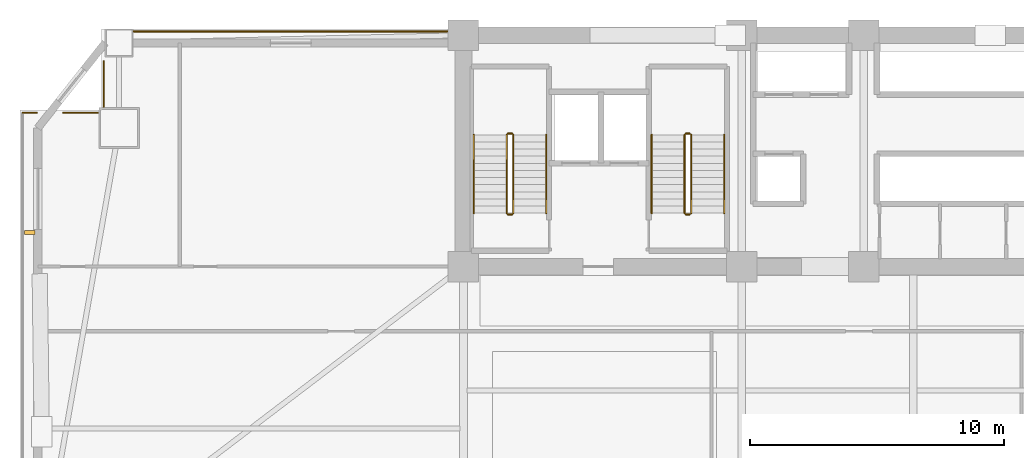
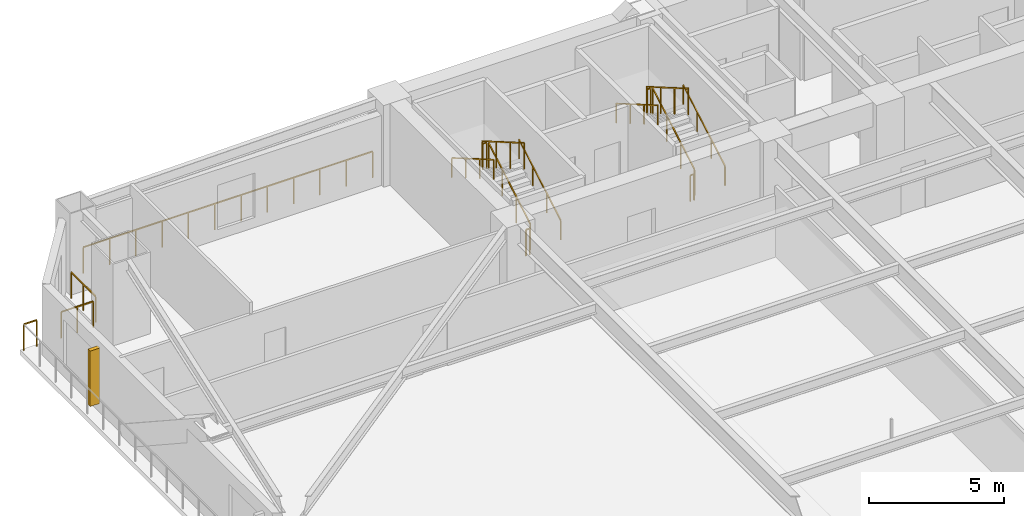
# One storey, part 15 of 17: 16 railings, 1 shading device.
"""IFC4 building model written with IfcOpenShell, lengths in metres."""

from ifc_helpers import new_model, si_unit, direction, frame, origin, origin_2d, place, context, subcontext, project, spatial, rectangle, extrude, source, transform, mapped, material, type_object, element, save


model = new_model("IFC4")

# Units and contexts
model_context = context("Model", 3, precision=1e-05, world=origin(), true_north=direction((0.0, 1.0)))
body_context = subcontext(model_context, "Body", "Model", "MODEL_VIEW")
ifc_project = project(units=[si_unit("LENGTHUNIT", "METRE"), si_unit("AREAUNIT", "SQUARE_METRE"), si_unit("VOLUMEUNIT", "CUBIC_METRE"), si_unit("PLANEANGLEUNIT", "RADIAN"), si_unit("MASSUNIT", "GRAM", prefix="KILO")], contexts=[model_context])

# Site, building, storey
site_placement = place(None, origin())
site = spatial("IfcSite", under=ifc_project, at=site_placement, CompositionType="ELEMENT")
building_placement = place(site_placement, origin())
building = spatial("IfcBuilding", under=site, at=building_placement, Name="Giltprow Tower", CompositionType="ELEMENT")
storey_placement = place(building_placement, frame((0.0, 0.0, 29.300048828125)))
storey = spatial("IfcBuildingStorey", under=building, at=storey_placement, Name="L07", CompositionType="ELEMENT", Elevation=29.300048828125)

# Railings
ifc_material = material(Name="Anodized bronze", Category="metal")
railing_type_1 = type_object("IfcRailingType", Name="RAIL-BALC-GUARD-1200", PredefinedType="BALUSTRADE", material=ifc_material)
railing_1_placement = place(storey_placement, frame((2.5, 43.5, 0.0)))
element("IfcRailing", 1, at=railing_1_placement, inside=storey, type_object=railing_type_1, Name="L07 Corner Apron Edge Balustrade 6", PredefinedType="BALUSTRADE", context=body_context, shape_type="SweptSolid", body=[
    extrude(rectangle(XDim=0.048095703125, YDim=0.048095703125, at=origin_2d()), frame((0.0, 0.0, 1.17578125), z_axis=(1.0, 0.0, 0.0), x_axis=(0.0, 1.0, 0.0)), (0.0, 0.0, 1.0), 0.552001953125),
    extrude(rectangle(XDim=0.0419921875, YDim=0.0419921875, at=origin_2d()), origin(), (0.0, 0.0, 1.0), 1.15185546875),
    extrude(rectangle(XDim=0.0419921875, YDim=0.0419921875, at=origin_2d()), frame((0.552001953125, 0.0, 0.0)), (0.0, 0.0, 1.0), 1.15185546875),
])
railing_2_placement = place(storey_placement, frame((4.096923828125, 43.5, 0.0)))
element("IfcRailing", 2, at=railing_2_placement, inside=storey, type_object=railing_type_1, Name="L07 Corner Apron Edge Balustrade 7", PredefinedType="BALUSTRADE", context=body_context, shape_type="SweptSolid", body=[
    extrude(rectangle(XDim=0.048095703125, YDim=0.048095703125, at=origin_2d()), frame((0.0, 0.0, 1.17578125), z_axis=(1.0, 0.0, 0.0), x_axis=(0.0, 1.0, 0.0)), (0.0, 0.0, 1.0), 1.3681640625),
    extrude(rectangle(XDim=0.0419921875, YDim=0.0419921875, at=origin_2d()), origin(), (0.0, 0.0, 1.0), 1.15185546875),
    extrude(rectangle(XDim=0.0419921875, YDim=0.0419921875, at=origin_2d()), frame((0.68408203125, 0.0, 0.0)), (0.0, 0.0, 1.0), 1.15185546875),
    extrude(rectangle(XDim=0.0419921875, YDim=0.0419921875, at=origin_2d()), frame((1.3681640625, 0.0, 0.0)), (0.0, 0.0, 1.0), 1.15185546875),
])
railing_3_placement = place(storey_placement, frame((5.699951171875, 43.735107421875, 0.0)))
element("IfcRailing", 3, at=railing_3_placement, inside=storey, type_object=railing_type_1, Name="L07 Corner Apron Edge Balustrade 8", PredefinedType="BALUSTRADE", context=body_context, shape_type="SweptSolid", body=[
    extrude(rectangle(XDim=0.048095703125, YDim=0.048095703125, at=origin_2d()), frame((0.0, 0.0, 1.17578125), z_axis=(0.0, 1.0, 0.0), x_axis=(-1.0, 0.0, 0.0)), (0.0, 0.0, 1.0), 1.790771484375),
    extrude(rectangle(XDim=0.0419921875, YDim=0.0419921875, at=origin_2d()), origin(), (0.0, 0.0, 1.0), 1.15185546875),
    extrude(rectangle(XDim=0.0419921875, YDim=0.0419921875, at=origin_2d()), frame((0.0, 0.8955078125, 0.0)), (0.0, 0.0, 1.0), 1.15185546875),
    extrude(rectangle(XDim=0.0419921875, YDim=0.0419921875, at=origin_2d()), frame((0.0, 1.790771484375, 0.0)), (0.0, 0.0, 1.0), 1.15185546875),
])
railing_4_placement = place(storey_placement, frame((6.885009765625, 46.699951171875, 0.0)))
element("IfcRailing", 4, at=railing_4_placement, inside=storey, type_object=railing_type_1, Name="L07 Corner Apron Edge Balustrade 9", PredefinedType="BALUSTRADE", context=body_context, shape_type="SweptSolid", body=[
    extrude(rectangle(XDim=0.048095703125, YDim=0.048095703125, at=origin_2d()), frame((0.0, 0.0, 1.17578125), z_axis=(1.0, 0.0, 0.0), x_axis=(0.0, 1.0, 0.0)), (0.0, 0.0, 1.0), 12.330078125),
    extrude(rectangle(XDim=0.0419921875, YDim=0.0419921875, at=origin_2d()), origin(), (0.0, 0.0, 1.0), 1.15185546875),
    extrude(rectangle(XDim=0.0419921875, YDim=0.0419921875, at=origin_2d()), frame((1.120849609375, 0.0, 0.0)), (0.0, 0.0, 1.0), 1.15185546875),
    extrude(rectangle(XDim=0.0419921875, YDim=0.0419921875, at=origin_2d()), frame((2.241943359375, 0.0, 0.0)), (0.0, 0.0, 1.0), 1.15185546875),
    extrude(rectangle(XDim=0.0419921875, YDim=0.0419921875, at=origin_2d()), frame((3.36279296875, 0.0, 0.0)), (0.0, 0.0, 1.0), 1.15185546875),
    extrude(rectangle(XDim=0.0419921875, YDim=0.0419921875, at=origin_2d()), frame((4.483642578125, 0.0, 0.0)), (0.0, 0.0, 1.0), 1.15185546875),
    extrude(rectangle(XDim=0.0419921875, YDim=0.0419921875, at=origin_2d()), frame((5.6044921875, 0.0, 0.0)), (0.0, 0.0, 1.0), 1.15185546875),
    extrude(rectangle(XDim=0.0419921875, YDim=0.0419921875, at=origin_2d()), frame((6.7255859375, 0.0, 0.0)), (0.0, 0.0, 1.0), 1.15185546875),
    extrude(rectangle(XDim=0.0419921875, YDim=0.0419921875, at=origin_2d()), frame((7.846435546875, 0.0, 0.0)), (0.0, 0.0, 1.0), 1.15185546875),
    extrude(rectangle(XDim=0.0419921875, YDim=0.0419921875, at=origin_2d()), frame((8.96728515625, 0.0, 0.0)), (0.0, 0.0, 1.0), 1.15185546875),
    extrude(rectangle(XDim=0.0419921875, YDim=0.0419921875, at=origin_2d()), frame((10.088134765625, 0.0, 0.0)), (0.0, 0.0, 1.0), 1.15185546875),
    extrude(rectangle(XDim=0.0419921875, YDim=0.0419921875, at=origin_2d()), frame((11.209228515625, 0.0, 0.0)), (0.0, 0.0, 1.0), 1.15185546875),
    extrude(rectangle(XDim=0.0419921875, YDim=0.0419921875, at=origin_2d()), frame((12.330078125, 0.0, 0.0)), (0.0, 0.0, 1.0), 1.15185546875),
])
railing_type_2 = type_object("IfcRailingType", Name="RAIL-STAIR-GUARD-1200", PredefinedType="GUARDRAIL", material=ifc_material)
railing_5_placement = place(storey_placement, frame((21.81005859375, 39.550048828125, 0.162353515625)))
element("IfcRailing", 5, at=railing_5_placement, inside=storey, type_object=railing_type_2, Name="L07 ST-1 stair guard 1", PredefinedType="GUARDRAIL", context=body_context, shape_type="SweptSolid", body=[
    extrude(rectangle(XDim=0.048095703125, YDim=0.048095703125, at=origin_2d()), frame((0.0, 0.0, 1.17578125), z_axis=(0.0, 0.864873446163, 0.501989962173), x_axis=(-1.0, 0.0, 0.0)), (0.0, 0.0, 1.0), 3.56103515625),
    extrude(rectangle(XDim=0.0419921875, YDim=0.0419921875, at=origin_2d()), origin(), (0.0, 0.0, 1.0), 1.15185546875),
    extrude(rectangle(XDim=0.0419921875, YDim=0.0419921875, at=origin_2d()), frame((0.0, 1.026611328125, 0.595947265625)), (0.0, 0.0, 1.0), 1.15185546875),
    extrude(rectangle(XDim=0.0419921875, YDim=0.0419921875, at=origin_2d()), frame((0.0, 2.05322265625, 1.191650390625)), (0.0, 0.0, 1.0), 1.15185546875),
    extrude(rectangle(XDim=0.0419921875, YDim=0.0419921875, at=origin_2d()), frame((0.0, 3.079833984375, 1.78759765625)), (0.0, 0.0, 1.0), 1.15185546875),
])
railing_6_placement = place(storey_placement, frame((21.760009765625, 42.679931640625, 1.949951171875)))
element("IfcRailing", 6, at=railing_6_placement, inside=storey, type_object=railing_type_2, Name="L07 ST-1 stair guard 2", PredefinedType="GUARDRAIL", context=body_context, shape_type="SweptSolid", body=[
    extrude(rectangle(XDim=0.048095703125, YDim=0.048095703125, at=origin_2d()), frame((0.0, 0.0, 1.17578125), z_axis=(-1.0, 0.0, 0.0), x_axis=(0.0, -1.0, 0.0)), (0.0, 0.0, 1.0), 0.159912109375),
    extrude(rectangle(XDim=0.0419921875, YDim=0.0419921875, at=origin_2d()), origin(), (0.0, 0.0, 1.0), 1.15185546875),
    extrude(rectangle(XDim=0.0419921875, YDim=0.0419921875, at=origin_2d()), frame((-0.159912109375, 0.0, 0.0)), (0.0, 0.0, 1.0), 1.15185546875),
])
railing_7_placement = place(storey_placement, frame((21.550048828125, 42.6298828125, 2.112548828125)))
element("IfcRailing", 7, at=railing_7_placement, inside=storey, type_object=railing_type_2, Name="L07 ST-1 stair guard 3", PredefinedType="GUARDRAIL", context=body_context, shape_type="SweptSolid", body=[
    extrude(rectangle(XDim=0.048095703125, YDim=0.048095703125, at=origin_2d()), frame((0.0, 0.0, 1.17578125), z_axis=(0.0, -0.864903211148, 0.501938676878), x_axis=(1.0, 0.0, 0.0)), (0.0, 0.0, 1.0), 3.560791015625),
    extrude(rectangle(XDim=0.0419921875, YDim=0.0419921875, at=origin_2d()), origin(), (0.0, 0.0, 1.0), 1.15185546875),
    extrude(rectangle(XDim=0.0419921875, YDim=0.0419921875, at=origin_2d()), frame((0.0, -1.026611328125, 0.595703125)), (0.0, 0.0, 1.0), 1.15185546875),
    extrude(rectangle(XDim=0.0419921875, YDim=0.0419921875, at=origin_2d()), frame((0.0, -2.05322265625, 1.191650390625)), (0.0, 0.0, 1.0), 1.15185546875),
    extrude(rectangle(XDim=0.0419921875, YDim=0.0419921875, at=origin_2d()), frame((0.0, -3.079833984375, 1.787353515625)), (0.0, 0.0, 1.0), 1.15185546875),
])
railing_8_placement = place(storey_placement, frame((21.760009765625, 39.5, 0.0)))
element("IfcRailing", 8, at=railing_8_placement, inside=storey, type_object=railing_type_2, Name="L07 ST-1 stair guard 4", PredefinedType="GUARDRAIL", context=body_context, shape_type="SweptSolid", body=[
    extrude(rectangle(XDim=0.048095703125, YDim=0.048095703125, at=origin_2d()), frame((0.0, 0.0, 1.17578125), z_axis=(-1.0, 0.0, 0.0), x_axis=(0.0, -1.0, 0.0)), (0.0, 0.0, 1.0), 0.159912109375),
    extrude(rectangle(XDim=0.0419921875, YDim=0.0419921875, at=origin_2d()), origin(), (0.0, 0.0, 1.0), 1.15185546875),
    extrude(rectangle(XDim=0.0419921875, YDim=0.0419921875, at=origin_2d()), frame((-0.159912109375, 0.0, 0.0)), (0.0, 0.0, 1.0), 1.15185546875),
])
railing_9_placement = place(storey_placement, frame((28.81005859375, 39.550048828125, 0.162353515625)))
element("IfcRailing", 9, at=railing_9_placement, inside=storey, type_object=railing_type_2, Name="L07 ST-2 stair guard 1", PredefinedType="GUARDRAIL", context=body_context, shape_type="SweptSolid", body=[
    extrude(rectangle(XDim=0.048095703125, YDim=0.048095703125, at=origin_2d()), frame((0.0, 0.0, 1.17578125), z_axis=(0.0, 0.864873446163, 0.501989962173), x_axis=(-1.0, 0.0, 0.0)), (0.0, 0.0, 1.0), 3.56103515625),
    extrude(rectangle(XDim=0.0419921875, YDim=0.0419921875, at=origin_2d()), origin(), (0.0, 0.0, 1.0), 1.15185546875),
    extrude(rectangle(XDim=0.0419921875, YDim=0.0419921875, at=origin_2d()), frame((0.0, 1.026611328125, 0.595947265625)), (0.0, 0.0, 1.0), 1.15185546875),
    extrude(rectangle(XDim=0.0419921875, YDim=0.0419921875, at=origin_2d()), frame((0.0, 2.05322265625, 1.191650390625)), (0.0, 0.0, 1.0), 1.15185546875),
    extrude(rectangle(XDim=0.0419921875, YDim=0.0419921875, at=origin_2d()), frame((0.0, 3.079833984375, 1.78759765625)), (0.0, 0.0, 1.0), 1.15185546875),
])
railing_10_placement = place(storey_placement, frame((28.760009765625, 42.679931640625, 1.949951171875)))
element("IfcRailing", 10, at=railing_10_placement, inside=storey, type_object=railing_type_2, Name="L07 ST-2 stair guard 2", PredefinedType="GUARDRAIL", context=body_context, shape_type="SweptSolid", body=[
    extrude(rectangle(XDim=0.048095703125, YDim=0.048095703125, at=origin_2d()), frame((0.0, 0.0, 1.17578125), z_axis=(-1.0, 0.0, 0.0), x_axis=(0.0, -1.0, 0.0)), (0.0, 0.0, 1.0), 0.159912109375),
    extrude(rectangle(XDim=0.0419921875, YDim=0.0419921875, at=origin_2d()), origin(), (0.0, 0.0, 1.0), 1.15185546875),
    extrude(rectangle(XDim=0.0419921875, YDim=0.0419921875, at=origin_2d()), frame((-0.159912109375, 0.0, 0.0)), (0.0, 0.0, 1.0), 1.15185546875),
])
railing_11_placement = place(storey_placement, frame((28.550048828125, 42.6298828125, 2.112548828125)))
element("IfcRailing", 11, at=railing_11_placement, inside=storey, type_object=railing_type_2, Name="L07 ST-2 stair guard 3", PredefinedType="GUARDRAIL", context=body_context, shape_type="SweptSolid", body=[
    extrude(rectangle(XDim=0.048095703125, YDim=0.048095703125, at=origin_2d()), frame((0.0, 0.0, 1.17578125), z_axis=(0.0, -0.864903211148, 0.501938676878), x_axis=(1.0, 0.0, 0.0)), (0.0, 0.0, 1.0), 3.560791015625),
    extrude(rectangle(XDim=0.0419921875, YDim=0.0419921875, at=origin_2d()), origin(), (0.0, 0.0, 1.0), 1.15185546875),
    extrude(rectangle(XDim=0.0419921875, YDim=0.0419921875, at=origin_2d()), frame((0.0, -1.026611328125, 0.595703125)), (0.0, 0.0, 1.0), 1.15185546875),
    extrude(rectangle(XDim=0.0419921875, YDim=0.0419921875, at=origin_2d()), frame((0.0, -2.05322265625, 1.191650390625)), (0.0, 0.0, 1.0), 1.15185546875),
    extrude(rectangle(XDim=0.0419921875, YDim=0.0419921875, at=origin_2d()), frame((0.0, -3.079833984375, 1.787353515625)), (0.0, 0.0, 1.0), 1.15185546875),
])
railing_12_placement = place(storey_placement, frame((28.760009765625, 39.5, 0.0)))
element("IfcRailing", 12, at=railing_12_placement, inside=storey, type_object=railing_type_2, Name="L07 ST-2 stair guard 4", PredefinedType="GUARDRAIL", context=body_context, shape_type="SweptSolid", body=[
    extrude(rectangle(XDim=0.048095703125, YDim=0.048095703125, at=origin_2d()), frame((0.0, 0.0, 1.17578125), z_axis=(-1.0, 0.0, 0.0), x_axis=(0.0, -1.0, 0.0)), (0.0, 0.0, 1.0), 0.159912109375),
    extrude(rectangle(XDim=0.0419921875, YDim=0.0419921875, at=origin_2d()), origin(), (0.0, 0.0, 1.0), 1.15185546875),
    extrude(rectangle(XDim=0.0419921875, YDim=0.0419921875, at=origin_2d()), frame((-0.159912109375, 0.0, 0.0)), (0.0, 0.0, 1.0), 1.15185546875),
])
railing_type_3 = type_object("IfcRailingType", Name="RAIL-STAIR-HAND-900", PredefinedType="HANDRAIL", material=ifc_material)
railing_13_placement = place(storey_placement, frame((23.110107421875, 39.550048828125, 0.162353515625)))
element("IfcRailing", 13, at=railing_13_placement, inside=storey, type_object=railing_type_3, Name="L07 ST-1 stair handrail 1", PredefinedType="HANDRAIL", context=body_context, shape_type="SweptSolid", body=[
    extrude(rectangle(XDim=0.048095703125, YDim=0.048095703125, at=origin_2d()), frame((0.0, 0.0, 0.8759765625), z_axis=(0.0, 0.864873446163, 0.501989962173), x_axis=(-1.0, 0.0, 0.0)), (0.0, 0.0, 1.0), 3.56103515625),
    extrude(rectangle(XDim=0.0419921875, YDim=0.0419921875, at=origin_2d()), origin(), (0.0, 0.0, 1.0), 0.851806640625),
    extrude(rectangle(XDim=0.0419921875, YDim=0.0419921875, at=origin_2d()), frame((0.0, 1.026611328125, 0.595947265625)), (0.0, 0.0, 1.0), 0.851806640625),
    extrude(rectangle(XDim=0.0419921875, YDim=0.0419921875, at=origin_2d()), frame((0.0, 2.05322265625, 1.191650390625)), (0.0, 0.0, 1.0), 0.851806640625),
    extrude(rectangle(XDim=0.0419921875, YDim=0.0419921875, at=origin_2d()), frame((0.0, 3.079833984375, 1.78759765625)), (0.0, 0.0, 1.0), 0.851806640625),
])
railing_14_placement = place(storey_placement, frame((20.25, 42.6298828125, 2.112548828125)))
element("IfcRailing", 14, at=railing_14_placement, inside=storey, type_object=railing_type_3, Name="L07 ST-1 stair handrail 2", PredefinedType="HANDRAIL", context=body_context, shape_type="SweptSolid", body=[
    extrude(rectangle(XDim=0.048095703125, YDim=0.048095703125, at=origin_2d()), frame((0.0, 0.0, 0.8759765625), z_axis=(0.0, -0.864903211148, 0.501938676878), x_axis=(1.0, 0.0, 0.0)), (0.0, 0.0, 1.0), 3.560791015625),
    extrude(rectangle(XDim=0.0419921875, YDim=0.0419921875, at=origin_2d()), origin(), (0.0, 0.0, 1.0), 0.851806640625),
    extrude(rectangle(XDim=0.0419921875, YDim=0.0419921875, at=origin_2d()), frame((0.0, -1.026611328125, 0.595703125)), (0.0, 0.0, 1.0), 0.851806640625),
    extrude(rectangle(XDim=0.0419921875, YDim=0.0419921875, at=origin_2d()), frame((0.0, -2.05322265625, 1.191650390625)), (0.0, 0.0, 1.0), 0.851806640625),
    extrude(rectangle(XDim=0.0419921875, YDim=0.0419921875, at=origin_2d()), frame((0.0, -3.079833984375, 1.787353515625)), (0.0, 0.0, 1.0), 0.851806640625),
])
railing_15_placement = place(storey_placement, frame((30.110107421875, 39.550048828125, 0.162353515625)))
element("IfcRailing", 15, at=railing_15_placement, inside=storey, type_object=railing_type_3, Name="L07 ST-2 stair handrail 1", PredefinedType="HANDRAIL", context=body_context, shape_type="SweptSolid", body=[
    extrude(rectangle(XDim=0.048095703125, YDim=0.048095703125, at=origin_2d()), frame((0.0, 0.0, 0.8759765625), z_axis=(0.0, 0.864873446163, 0.501989962173), x_axis=(-1.0, 0.0, 0.0)), (0.0, 0.0, 1.0), 3.56103515625),
    extrude(rectangle(XDim=0.0419921875, YDim=0.0419921875, at=origin_2d()), origin(), (0.0, 0.0, 1.0), 0.851806640625),
    extrude(rectangle(XDim=0.0419921875, YDim=0.0419921875, at=origin_2d()), frame((0.0, 1.026611328125, 0.595947265625)), (0.0, 0.0, 1.0), 0.851806640625),
    extrude(rectangle(XDim=0.0419921875, YDim=0.0419921875, at=origin_2d()), frame((0.0, 2.05322265625, 1.191650390625)), (0.0, 0.0, 1.0), 0.851806640625),
    extrude(rectangle(XDim=0.0419921875, YDim=0.0419921875, at=origin_2d()), frame((0.0, 3.079833984375, 1.78759765625)), (0.0, 0.0, 1.0), 0.851806640625),
])
railing_16_placement = place(storey_placement, frame((27.25, 42.6298828125, 2.112548828125)))
element("IfcRailing", 16, at=railing_16_placement, inside=storey, type_object=railing_type_3, Name="L07 ST-2 stair handrail 2", PredefinedType="HANDRAIL", context=body_context, shape_type="SweptSolid", body=[
    extrude(rectangle(XDim=0.048095703125, YDim=0.048095703125, at=origin_2d()), frame((0.0, 0.0, 0.8759765625), z_axis=(0.0, -0.864903211148, 0.501938676878), x_axis=(1.0, 0.0, 0.0)), (0.0, 0.0, 1.0), 3.560791015625),
    extrude(rectangle(XDim=0.0419921875, YDim=0.0419921875, at=origin_2d()), origin(), (0.0, 0.0, 1.0), 0.851806640625),
    extrude(rectangle(XDim=0.0419921875, YDim=0.0419921875, at=origin_2d()), frame((0.0, -1.026611328125, 0.595703125)), (0.0, 0.0, 1.0), 0.851806640625),
    extrude(rectangle(XDim=0.0419921875, YDim=0.0419921875, at=origin_2d()), frame((0.0, -2.05322265625, 1.191650390625)), (0.0, 0.0, 1.0), 0.851806640625),
    extrude(rectangle(XDim=0.0419921875, YDim=0.0419921875, at=origin_2d()), frame((0.0, -3.079833984375, 1.787353515625)), (0.0, 0.0, 1.0), 0.851806640625),
])

# Shading device
shading_device_type = type_object("IfcShadingDeviceType", Name="SHD-FIN-420", PredefinedType="USERDEFINED", material=ifc_material)
shared_shape = source(origin(), body_context, "Body", "SweptSolid", [
    extrude(rectangle(XDim=0.419921875, YDim=0.159912109375, at=origin_2d()), origin(), (0.0, 0.0, 1.0), 2.5),
])
shading_device_placement = place(storey_placement, frame((2.780029296875, 38.791015625, 0.349853515625), z_axis=(0.0, 0.0, 1.0), x_axis=(1.0, 0.0, 0.0)))
element("IfcShadingDevice", 17, at=shading_device_placement, inside=storey, type_object=shading_device_type, Name="L07 W Bronze Vertical Fin 2-2", ObjectType="FIN", PredefinedType="USERDEFINED", context=body_context, shape_type="MappedRepresentation", body=[
    mapped(shared_shape, transform((0.0, 0.0, 0.0), x_axis=(1.0, 0.0, 0.0), y_axis=(0.0, 1.0, 0.0), z_axis=(0.0, 0.0, 1.0), scale=1.0)),
])

save(model, "model.ifc")
